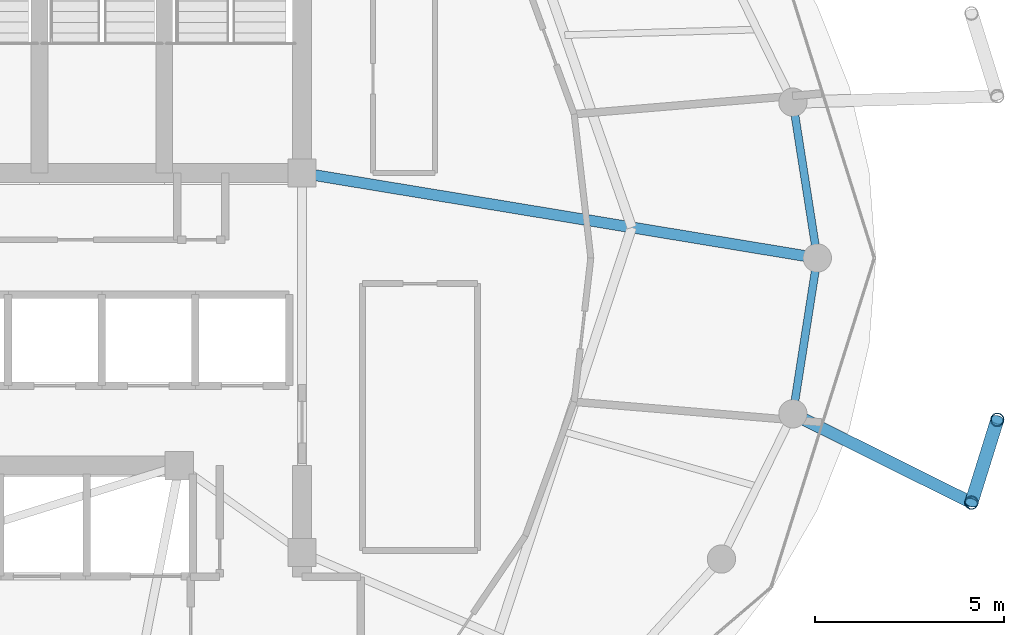
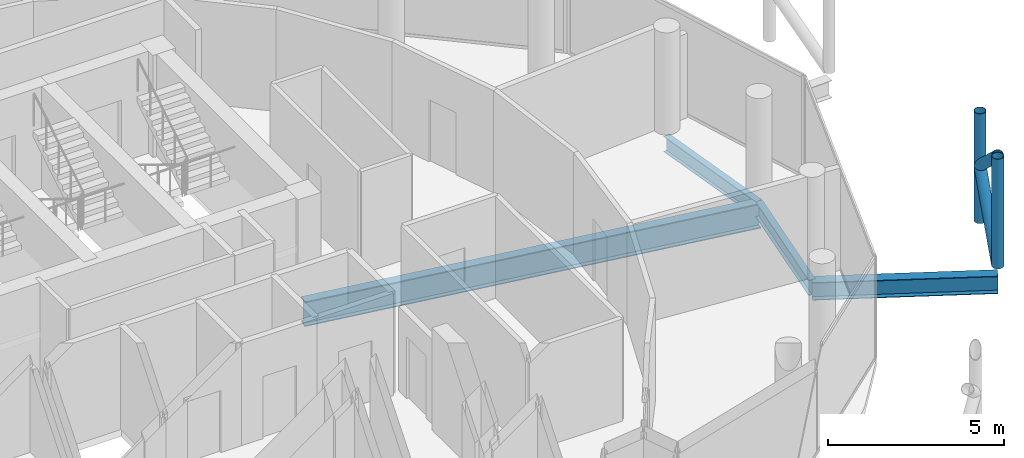
# One storey, part 11 of 24: 4 beams, 4 members.
"""IFC4 building model written with IfcOpenShell, lengths in metres."""

from ifc_helpers import new_model, si_unit, direction, frame, origin, origin_2d, place, context, subcontext, project, spatial, hollow_circle, i_section, extrude, material, material_profile, profile_set, type_object, element, save


model = new_model("IFC4")

# Units and contexts
model_context = context("Model", 3, precision=1e-05, world=origin(), true_north=direction((0.0, 1.0)))
body_context = subcontext(model_context, "Body", "Model", "MODEL_VIEW")
ifc_project = project(units=[si_unit("LENGTHUNIT", "METRE"), si_unit("AREAUNIT", "SQUARE_METRE"), si_unit("VOLUMEUNIT", "CUBIC_METRE"), si_unit("PLANEANGLEUNIT", "RADIAN"), si_unit("MASSUNIT", "GRAM", prefix="KILO")], contexts=[model_context])

# Site, building, storey
site_placement = place(None, origin())
site = spatial("IfcSite", under=ifc_project, at=site_placement, CompositionType="ELEMENT")
building_placement = place(site_placement, origin())
building = spatial("IfcBuilding", under=site, at=building_placement, Name="Nuhasar Tower", CompositionType="ELEMENT")
storey_placement = place(building_placement, frame((0.0, 0.0, 278.39990234375)))
storey = spatial("IfcBuildingStorey", under=building, at=storey_placement, Name="L69", CompositionType="ELEMENT", Elevation=278.39990234375)

# Beams
ifc_material_1 = material(Name="Steel S355", Category="steel")
ifc_material_profile_1 = material_profile(ifc_material_1, i_section(OverallWidth=0.2919921875, OverallDepth=0.85888671875, WebThickness=0.01708984375, FlangeThickness=0.031005859375, at=origin_2d()), Name="W33X169")
ifc_profile_set_1 = profile_set([ifc_material_profile_1], Name="Steel S355")
beam_type_1 = type_object("IfcBeamType", Name="BM-POD-W33X169", PredefinedType="BEAM", material=ifc_profile_set_1)
beam_1_placement = place(storey_placement, frame((44.300048828125, 29.050048828125, -0.68994140625), z_axis=(0.986685215874, -0.162641583786, 0.0), x_axis=(0.162641583786, 0.986685215874, 0.0)))
element("IfcBeam", 1, at=beam_1_placement, inside=storey, type_object=beam_type_1, Name="L69 Radial Floor Girder 04", PredefinedType="BEAM", context=body_context, shape_type="SweptSolid", body=[
    extrude(i_section(OverallWidth=0.2919921875, OverallDepth=0.85888671875, WebThickness=0.01708984375, FlangeThickness=0.031005859375, at=origin_2d()), origin(), (0.0, 0.0, 1.0), 13.833984375),
])
ifc_material_profile_2 = material_profile(ifc_material_1, i_section(OverallWidth=0.2099609375, OverallDepth=0.537109375, WebThickness=0.010986328125, FlangeThickness=0.017333984375, at=origin_2d()), Name="W21X68")
ifc_profile_set_2 = profile_set([ifc_material_profile_2], Name="Steel S355")
beam_type_2 = type_object("IfcBeamType", Name="BM-RING-W21X68", PredefinedType="SPANDREL", material=ifc_profile_set_2)
for number, where, z_axis, x_axis, name in (
    (2, (57.949951171875, 26.800048828125, -0.52880859375), (-0.154612165232, 0.987975241776, 0.0), (-0.987975241776, -0.154612165232, 0.0), "L69 Perimeter Ring Spandrel 01"),
    (3, (57.303955078125, 22.672119140625, -0.52880859375), (0.154612165232, 0.987975241776, 0.0), (-0.987975241776, 0.154612165232, 0.0), "L69 Perimeter Ring Spandrel 24"),
):
    element("IfcBeam", number, at=place(storey_placement, frame(where, z_axis=z_axis, x_axis=x_axis)), inside=storey, type_object=beam_type_2, Name=name, PredefinedType="SPANDREL", context=body_context, shape_type="SweptSolid", body=[
        extrude(i_section(OverallWidth=0.2099609375, OverallDepth=0.537109375, WebThickness=0.010986328125, FlangeThickness=0.017333984375, at=origin_2d()), origin(), (0.0, 0.0, 1.0), 4.17822265625),
    ])
ifc_material_profile_3 = material_profile(ifc_material_1, i_section(OverallWidth=0.323974609375, OverallDepth=0.611083984375, WebThickness=0.0126953125, FlangeThickness=0.01904296875, at=origin_2d()), Name="W24X104")
ifc_profile_set_3 = profile_set([ifc_material_profile_3], Name="Steel S355")
beam_type_3 = type_object("IfcBeamType", Name="BM-TIE-W24X104", PredefinedType="BEAM", material=ifc_profile_set_3)
beam_2_placement = place(storey_placement, frame((57.303955078125, 22.672119140625, -0.56591796875), z_axis=(0.895294451274, -0.445474853969, 0.0), x_axis=(0.445474853969, 0.895294451274, 0.0)))
element("IfcBeam", 4, at=beam_2_placement, inside=storey, type_object=beam_type_3, Name="L69 Exoskeleton Node Tie Beam 12", PredefinedType="BEAM", context=body_context, shape_type="SweptSolid", body=[
    extrude(i_section(OverallWidth=0.323974609375, OverallDepth=0.611083984375, WebThickness=0.0126953125, FlangeThickness=0.01904296875, at=origin_2d()), origin(), (0.0, 0.0, 1.0), 5.281982421875),
])

# Members
ifc_material_2 = material(Name="Steel S460", Category="steel")
ifc_material_profile_4 = material_profile(ifc_material_2, hollow_circle(Radius=0.177734375, WallThickness=0.015869140625, at=origin_2d()), Name="HSS355.6X15.9")
ifc_profile_set_4 = profile_set([ifc_material_profile_4], Name="Steel S460")
member_type = type_object("IfcMemberType", Name="EXO-BRONZE-356", PredefinedType="BRACE", material=ifc_profile_set_4)
for number, where, z_axis, x_axis, name in (
    (5, (62.032958984375, 20.319091796875, 0.0), (0.0, 0.0, 1.0), (1.0, 0.0, 0.0), "L69 Exoskeleton Chord Column EC-12A"),
    (6, (62.718017578125, 22.513916015625, 0.0), (0.0, 0.0, 1.0), (1.0, 0.0, 0.0), "L69 Exoskeleton Chord Column EC-12B"),
):
    element("IfcMember", number, at=place(storey_placement, frame(where, z_axis=z_axis, x_axis=x_axis)), inside=storey, type_object=member_type, Name=name, PredefinedType="BRACE", context=body_context, shape_type="SweptSolid", body=[
        extrude(hollow_circle(Radius=0.177734375, WallThickness=0.015869140625, at=origin_2d()), origin(), (0.0, 0.0, 1.0), 3.800048828125),
    ])
member_1_placement = place(storey_placement, frame((62.032958984375, 20.319091796875, 0.0), z_axis=(0.229669386127, 0.73582600901, 0.637033796232), x_axis=(-0.954581948223, 0.297948492404, 0.0)))
element("IfcMember", 7, at=member_1_placement, inside=storey, type_object=member_type, Name="L69 Bronze Diagrid Brace W1-12", PredefinedType="BRACE", context=body_context, shape_type="SweptSolid", body=[
    extrude(hollow_circle(Radius=0.177734375, WallThickness=0.015869140625, at=origin_2d()), origin(), (0.0, 0.0, 1.0), 2.98291015625),
])
member_2_placement = place(storey_placement, frame((62.718017578125, 22.513916015625, 1.900146484375), z_axis=(-0.229681361446, -0.735864376122, 0.636985158507), x_axis=(0.954581948223, -0.297948492404, 0.0)))
element("IfcMember", 8, at=member_2_placement, inside=storey, type_object=member_type, Name="L69 Bronze Diagrid Brace W2-12", PredefinedType="BRACE", context=body_context, shape_type="SweptSolid", body=[
    extrude(hollow_circle(Radius=0.177734375, WallThickness=0.015869140625, at=origin_2d()), origin(), (0.0, 0.0, 1.0), 2.982666015625),
])

save(model, "model.ifc")
